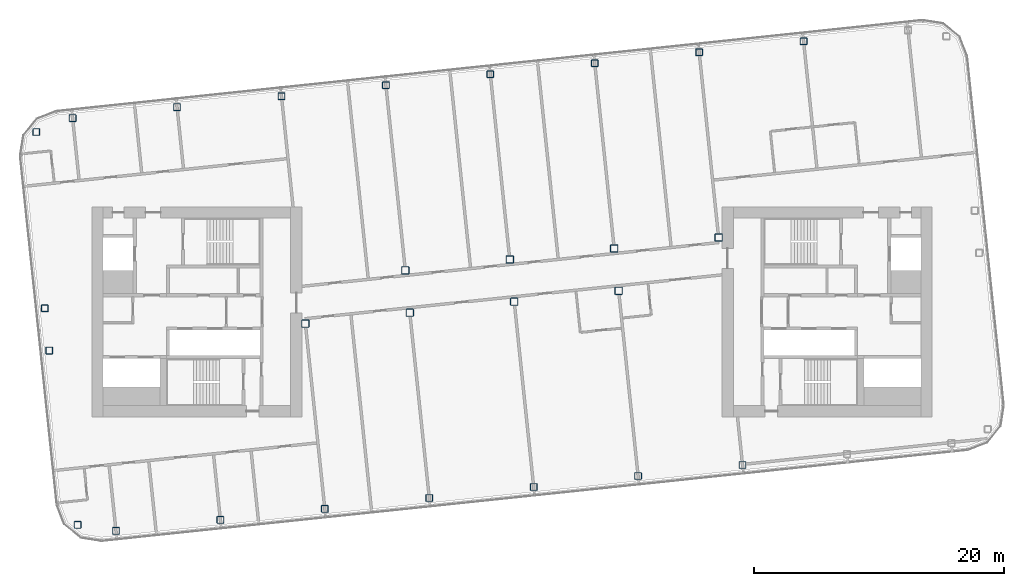
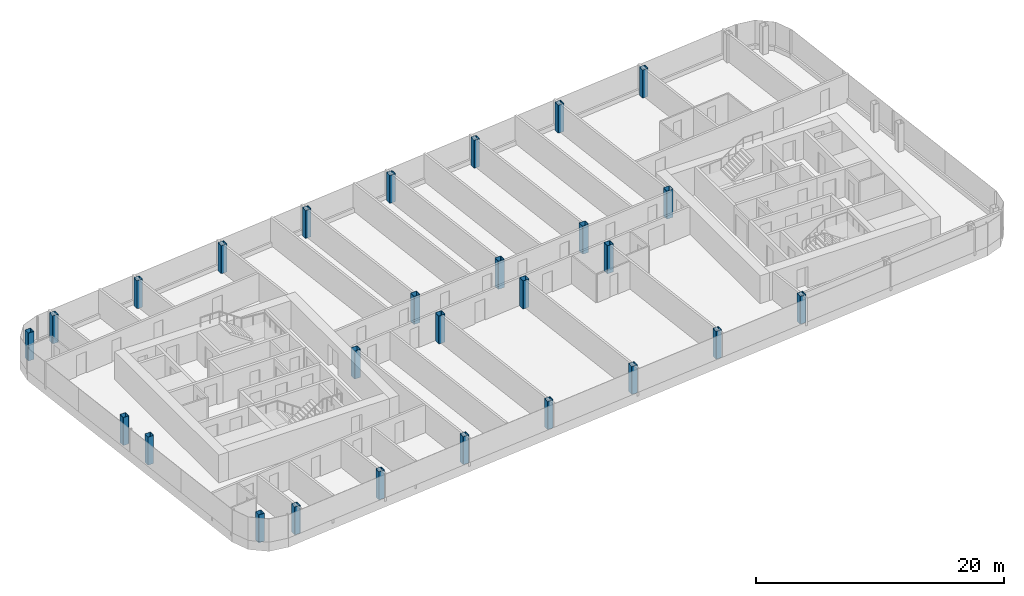
# One storey, part 1 of 27: 27 columns.
"""IFC4 building model written with IfcOpenShell, lengths in metres."""

from ifc_helpers import new_model, si_unit, direction, frame, origin, origin_2d, place, context, subcontext, project, spatial, hollow_rectangle, extrude, material, material_profile, profile_set, type_object, element, save


model = new_model("IFC4")

# Units and contexts
model_context = context("Model", 3, precision=1e-05, world=origin(), true_north=direction((0.0, 1.0)))
body_context = subcontext(model_context, "Body", "Model", "MODEL_VIEW")
ifc_project = project(units=[si_unit("LENGTHUNIT", "METRE"), si_unit("AREAUNIT", "SQUARE_METRE"), si_unit("VOLUMEUNIT", "CUBIC_METRE"), si_unit("PLANEANGLEUNIT", "RADIAN"), si_unit("MASSUNIT", "GRAM", prefix="KILO")], contexts=[model_context])

# Site, building, storey
site_placement = place(None, origin())
site = spatial("IfcSite", under=ifc_project, at=site_placement, CompositionType="ELEMENT")
building_placement = place(site_placement, origin())
building = spatial("IfcBuilding", under=site, at=building_placement, Name="Hakoniwa Tower and Hamabe Station Hall", CompositionType="ELEMENT")
storey_placement = place(building_placement, frame((0.0, 0.0, 239.0)))
storey = spatial("IfcBuildingStorey", under=building, at=storey_placement, Name="L67", CompositionType="ELEMENT", Elevation=239.0)

# Columns
ifc_material_1 = material(Name="Steel BCP325", Category="steel")
ifc_material_profile_1 = material_profile(ifc_material_1, hollow_rectangle(XDim=0.550048828125, YDim=0.550048828125, WallThickness=0.02197265625, InnerFilletRadius=0.032958984375, OuterFilletRadius=0.054931640625, at=origin_2d()), Name="BCP-550x550x22")
ifc_profile_set_1 = profile_set([ifc_material_profile_1], Name="Steel BCP325")
column_type_1 = type_object("IfcColumnType", Name="COLUMN BCP-550x550x22", PredefinedType="COLUMN", material=ifc_profile_set_1)
for number, where, z_axis, x_axis, name in (
    (1, (-34.750732421875, -17.04248046875, 0.0), (0.0, 0.0, 1.0), (1.0, 0.0, 0.0), "Column B5-EW-A5"),
    (2, (-37.017333984375, -3.10009765625, 0.0), (0.0, 0.0, 1.0), (1.0, 0.0, 0.0), "Column B5-EW-C5"),
    (3, (-37.372802734375, 0.28125, 0.0), (0.0, 0.0, 1.0), (1.0, 0.0, 0.0), "Column B5-EW-D5"),
    (4, (-38.054443359375, 14.390380859375, 0.0), (0.0, 0.0, 1.0), (1.0, 0.0, 0.0), "Column B5-EW-F5"),
    (5, (-31.680908203125, -17.521240234375, 0.0), (0.0, 0.0, 1.0), (1.0, 0.0, 0.0), "Column B5-3-A5"),
    (6, (-35.151123046875, 15.496826171875, 0.0), (0.0, 0.0, 1.0), (1.0, 0.0, 0.0), "Column B5-3-F5"),
    (7, (-23.326904296875, -16.643310546875, 0.0), (0.0, 0.0, 1.0), (1.0, 0.0, 0.0), "Column B5-4-A5"),
    (8, (-26.797119140625, 16.375, 0.0), (0.0, 0.0, 1.0), (1.0, 0.0, 0.0), "Column B5-4-F5"),
    (9, (-14.972900390625, -15.76513671875, 0.0), (0.0, 0.0, 1.0), (1.0, 0.0, 0.0), "Column B5-5-A5"),
    (10, (-18.443115234375, 17.2529296875, 0.0), (0.0, 0.0, 1.0), (1.0, 0.0, 0.0), "Column B5-5-F5"),
    (11, (-6.618896484375, -14.88720703125, 0.0), (0.0, 0.0, 1.0), (1.0, 0.0, 0.0), "Column B5-6-A5"),
    (12, (-10.089111328125, 18.131103515625, 0.0), (0.0, 0.0, 1.0), (1.0, 0.0, 0.0), "Column B5-6-F5"),
    (13, (1.735107421875, -14.009033203125, 0.0), (0.0, 0.0, 1.0), (1.0, 0.0, 0.0), "Column B5-7-A5"),
    (14, (-1.735107421875, 19.009033203125, 0.0), (0.0, 0.0, 1.0), (1.0, 0.0, 0.0), "Column B5-7-F5"),
    (15, (10.089111328125, -13.131103515625, 0.0), (0.0, 0.0, 1.0), (1.0, 0.0, 0.0), "Column B5-8-A5"),
    (16, (6.618896484375, 19.88720703125, 0.0), (0.0, 0.0, 1.0), (1.0, 0.0, 0.0), "Column B5-8-F5"),
    (17, (18.443115234375, -12.2529296875, 0.0), (0.0, 0.0, 1.0), (1.0, 0.0, 0.0), "Column B5-9-A5"),
    (18, (14.972900390625, 20.76513671875, 0.0), (0.0, 0.0, 1.0), (1.0, 0.0, 0.0), "Column B5-9-F5"),
    (19, (23.326904296875, 21.643310546875, 0.0), (0.0, 0.0, 1.0), (1.0, 0.0, 0.0), "Column B5-10-F5"),
):
    element("IfcColumn", number, at=place(storey_placement, frame(where, z_axis=z_axis, x_axis=x_axis)), inside=storey, type_object=column_type_1, Name=name, PredefinedType="COLUMN", context=body_context, shape_type="SweptSolid", body=[
        extrude(hollow_rectangle(XDim=0.550048828125, YDim=0.550048828125, WallThickness=0.02197265625, InnerFilletRadius=0.032958984375, OuterFilletRadius=0.054931640625, at=origin_2d()), origin(), (0.0, 0.0, 1.0), 2.75),
    ])
ifc_material_2 = material(Name="Steel BCP325", Category="steel")
ifc_material_profile_2 = material_profile(ifc_material_2, hollow_rectangle(XDim=0.60009765625, YDim=0.60009765625, WallThickness=0.02490234375, InnerFilletRadius=0.03759765625, OuterFilletRadius=0.0625, at=origin_2d()), Name="BCP-600x600x25")
ifc_profile_set_2 = profile_set([ifc_material_profile_2], Name="Steel BCP325")
column_type_2 = type_object("IfcColumnType", Name="COLUMN BCP-600x600x25", PredefinedType="COLUMN", material=ifc_profile_set_2)
for number, where, z_axis, x_axis, name in (
    (20, (-16.5302734375, -0.94677734375, 0.0), (0.0, 0.0, 1.0), (1.0, 0.0, 0.0), "Column B5-5-C5"),
    (21, (-8.17626953125, -0.068603515625, 0.0), (0.0, 0.0, 1.0), (1.0, 0.0, 0.0), "Column B5-6-C5"),
    (22, (-8.53173828125, 3.3125, 0.0), (0.0, 0.0, 1.0), (1.0, 0.0, 0.0), "Column B5-6-D5"),
    (23, (0.177734375, 0.809326171875, 0.0), (0.0, 0.0, 1.0), (1.0, 0.0, 0.0), "Column B5-7-C5"),
    (24, (-0.177734375, 4.190673828125, 0.0), (0.0, 0.0, 1.0), (1.0, 0.0, 0.0), "Column B5-7-D5"),
    (25, (8.53173828125, 1.6875, 0.0), (0.0, 0.0, 1.0), (1.0, 0.0, 0.0), "Column B5-8-C5"),
    (26, (8.17626953125, 5.068603515625, 0.0), (0.0, 0.0, 1.0), (1.0, 0.0, 0.0), "Column B5-8-D5"),
    (27, (16.5302734375, 5.94677734375, 0.0), (0.0, 0.0, 1.0), (1.0, 0.0, 0.0), "Column B5-9-D5"),
):
    element("IfcColumn", number, at=place(storey_placement, frame(where, z_axis=z_axis, x_axis=x_axis)), inside=storey, type_object=column_type_2, Name=name, PredefinedType="COLUMN", context=body_context, shape_type="SweptSolid", body=[
        extrude(hollow_rectangle(XDim=0.60009765625, YDim=0.60009765625, WallThickness=0.02490234375, InnerFilletRadius=0.03759765625, OuterFilletRadius=0.0625, at=origin_2d()), origin(), (0.0, 0.0, 1.0), 2.75),
    ])

save(model, "model.ifc")
